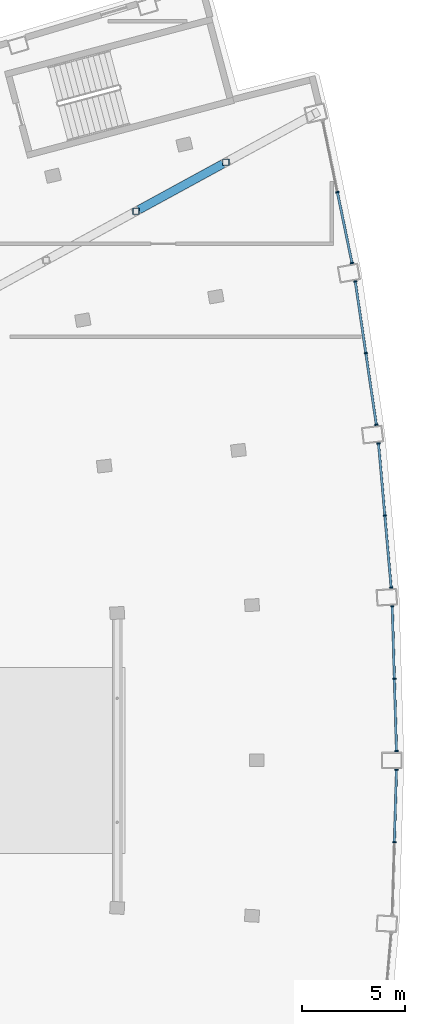
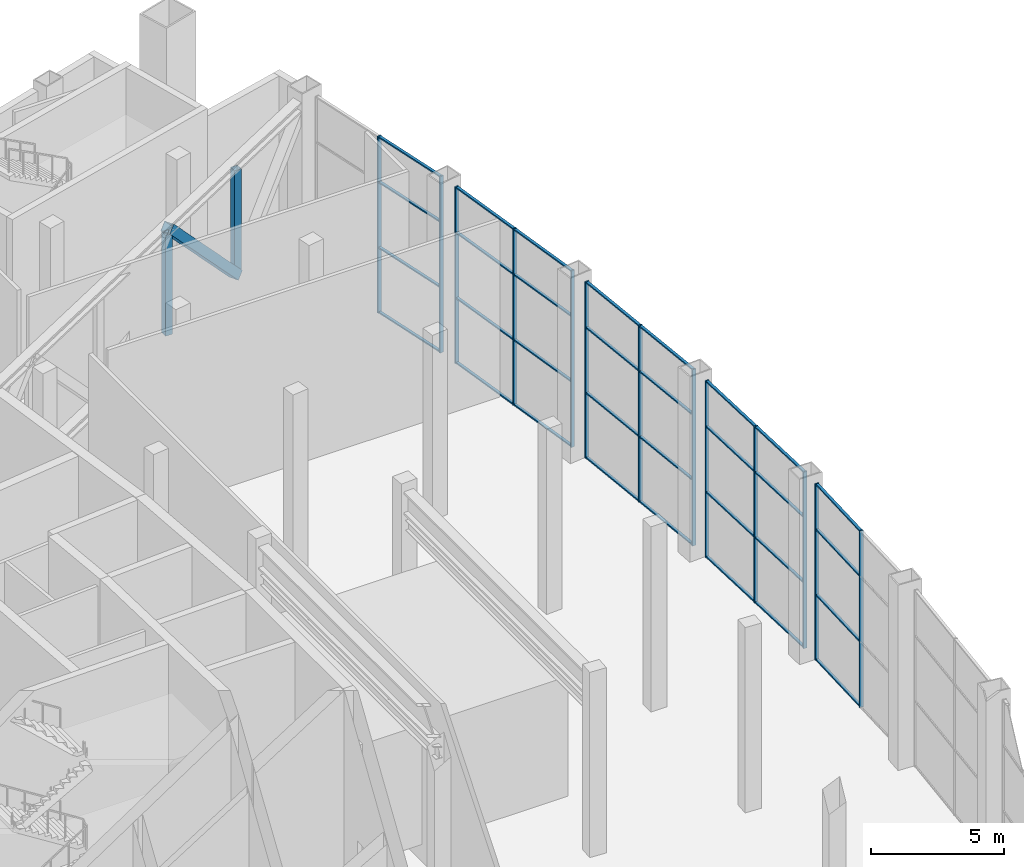
# One storey, part 13 of 25: 48 members, 5 elements without a shape of their own.
"""IFC4 building model written with IfcOpenShell, lengths in metres."""

from ifc_helpers import new_model, si_unit, direction, frame, origin, origin_2d, place, context, subcontext, project, spatial, rectangle, hollow_rectangle, extrude, material, layer, layer_set, material_profile, profile_set, type_object, element, aggregate, save


model = new_model("IFC4")

# Units and contexts
model_context = context("Model", 3, precision=1e-05, world=origin(), true_north=direction((0.0, 1.0)))
body_context = subcontext(model_context, "Body", "Model", "MODEL_VIEW")
ifc_project = project(units=[si_unit("LENGTHUNIT", "METRE"), si_unit("AREAUNIT", "SQUARE_METRE"), si_unit("VOLUMEUNIT", "CUBIC_METRE"), si_unit("PLANEANGLEUNIT", "RADIAN"), si_unit("MASSUNIT", "GRAM", prefix="KILO")], contexts=[model_context])

# Site, building, storey
site_placement = place(None, origin())
site = spatial("IfcSite", under=ifc_project, at=site_placement, CompositionType="ELEMENT")
building_placement = place(site_placement, origin())
building = spatial("IfcBuilding", under=site, at=building_placement, Name="Alderwake Tower", CompositionType="ELEMENT")
storey_placement = place(building_placement, frame((0.0, 0.0, 296.0)))
storey = spatial("IfcBuildingStorey", under=building, at=storey_placement, Name="L73", CompositionType="ELEMENT", Elevation=296.0)

# Curtain wall, members
ifc_material_1 = material(Name="Bronze tinted glass in aluminium frame", Category="aluminium")
ifc_layer = layer(ifc_material_1, 0.199951171875)
ifc_layer_set = layer_set([ifc_layer], Name="Curtain wall CW4 damper floor viewing glazing")
curtain_wall_type = type_object("IfcCurtainWallType", Name="Curtain wall CW4 damper floor viewing glazing", PredefinedType="NOTDEFINED", material=ifc_layer_set)
curtain_wall_1_placement = place(storey_placement, origin())
curtain_wall_1 = element("IfcCurtainWall", 1, at=curtain_wall_1_placement, inside=storey, type_object=curtain_wall_type, Name="Curtain wall 4", PredefinedType="NOTDEFINED")
ifc_material_2 = material(Name="Aluminium bronze anodised", Category="aluminium")
ifc_material_profile_1 = material_profile(ifc_material_2, rectangle(XDim=0.159912109375, YDim=0.06005859375, at=origin_2d()), Name="Mullion MUD 60x160")
ifc_profile_set_1 = profile_set([ifc_material_profile_1], Name="Aluminium bronze anodised")
member_type_1 = type_object("IfcMemberType", Name="Mullion MUD 60x160", PredefinedType="MULLION", material=ifc_profile_set_1)
member_1_placement = place(storey_placement, frame((55.53466796875, 57.045654296875, 0.0), z_axis=(0.0, 0.0, 1.0), x_axis=(-0.99957482948, 0.029157507941, 0.0)))
member_1 = element("IfcMember", 2, at=member_1_placement, type_object=member_type_1, Name="CW.04 mullion 2", PredefinedType="MULLION", context=body_context, shape_type="SweptSolid", body=[
    extrude(rectangle(XDim=0.159912109375, YDim=0.06005859375, at=origin_2d()), origin(), (0.0, 0.0, 1.0), 8.10009765625),
])
member_2_placement = place(storey_placement, frame((55.63671875, 60.548583984375, 0.0), z_axis=(0.0, 0.0, 1.0), x_axis=(-0.99957482948, 0.029157507941, 0.0)))
member_2 = element("IfcMember", 3, at=member_2_placement, type_object=member_type_1, Name="CW.04 mullion 3", PredefinedType="MULLION", context=body_context, shape_type="SweptSolid", body=[
    extrude(rectangle(XDim=0.159912109375, YDim=0.06005859375, at=origin_2d()), origin(), (0.0, 0.0, 1.0), 8.10009765625),
])

curtain_wall_2_placement = place(storey_placement, origin())
curtain_wall_2 = element("IfcCurtainWall", 4, at=curtain_wall_2_placement, inside=storey, type_object=curtain_wall_type, Name="Curtain wall 5", PredefinedType="NOTDEFINED")
member_3_placement = place(storey_placement, frame((55.63671875, 61.451416015625, 0.0), z_axis=(0.0, 0.0, 1.0), x_axis=(-0.99957482948, -0.029157507941, 0.0)))
member_3 = element("IfcMember", 5, at=member_3_placement, type_object=member_type_1, Name="CW.05 mullion 1", PredefinedType="MULLION", context=body_context, shape_type="SweptSolid", body=[
    extrude(rectangle(XDim=0.159912109375, YDim=0.06005859375, at=origin_2d()), origin(), (0.0, 0.0, 1.0), 8.10009765625),
])
member_4_placement = place(storey_placement, frame((55.53466796875, 64.954345703125, 0.0), z_axis=(0.0, 0.0, 1.0), x_axis=(-0.99957482948, -0.029157507941, 0.0)))
member_4 = element("IfcMember", 6, at=member_4_placement, type_object=member_type_1, Name="CW.05 mullion 2", PredefinedType="MULLION", context=body_context, shape_type="SweptSolid", body=[
    extrude(rectangle(XDim=0.159912109375, YDim=0.06005859375, at=origin_2d()), origin(), (0.0, 0.0, 1.0), 8.10009765625),
])
member_5_placement = place(storey_placement, frame((55.432373046875, 68.45703125, 0.0), z_axis=(0.0, 0.0, 1.0), x_axis=(-0.99957482948, -0.029157507941, 0.0)))
member_5 = element("IfcMember", 7, at=member_5_placement, type_object=member_type_1, Name="CW.05 mullion 3", PredefinedType="MULLION", context=body_context, shape_type="SweptSolid", body=[
    extrude(rectangle(XDim=0.159912109375, YDim=0.06005859375, at=origin_2d()), origin(), (0.0, 0.0, 1.0), 8.10009765625),
])

curtain_wall_3_placement = place(storey_placement, origin())
curtain_wall_3 = element("IfcCurtainWall", 8, at=curtain_wall_3_placement, inside=storey, type_object=curtain_wall_type, Name="Curtain wall 6", PredefinedType="NOTDEFINED")
member_6_placement = place(storey_placement, frame((55.3798828125, 69.3583984375, 0.0), z_axis=(0.0, 0.0, 1.0), x_axis=(-0.996174205388, -0.087389659115, 0.0)))
member_6 = element("IfcMember", 9, at=member_6_placement, type_object=member_type_1, Name="CW.06 mullion 1", PredefinedType="MULLION", context=body_context, shape_type="SweptSolid", body=[
    extrude(rectangle(XDim=0.159912109375, YDim=0.06005859375, at=origin_2d()), origin(), (0.0, 0.0, 1.0), 8.10009765625),
])
member_7_placement = place(storey_placement, frame((55.073486328125, 72.849365234375, 0.0), z_axis=(0.0, 0.0, 1.0), x_axis=(-0.996174205388, -0.087389659115, 0.0)))
member_7 = element("IfcMember", 10, at=member_7_placement, type_object=member_type_1, Name="CW.06 mullion 2", PredefinedType="MULLION", context=body_context, shape_type="SweptSolid", body=[
    extrude(rectangle(XDim=0.159912109375, YDim=0.06005859375, at=origin_2d()), origin(), (0.0, 0.0, 1.0), 8.10009765625),
])
member_8_placement = place(storey_placement, frame((54.767333984375, 76.340087890625, 0.0), z_axis=(0.0, 0.0, 1.0), x_axis=(-0.996174205388, -0.087389659115, 0.0)))
member_8 = element("IfcMember", 11, at=member_8_placement, type_object=member_type_1, Name="CW.06 mullion 3", PredefinedType="MULLION", context=body_context, shape_type="SweptSolid", body=[
    extrude(rectangle(XDim=0.159912109375, YDim=0.06005859375, at=origin_2d()), origin(), (0.0, 0.0, 1.0), 8.10009765625),
])

curtain_wall_4_placement = place(storey_placement, origin())
curtain_wall_4 = element("IfcCurtainWall", 12, at=curtain_wall_4_placement, inside=storey, type_object=curtain_wall_type, Name="Curtain wall 7", PredefinedType="NOTDEFINED")
member_9_placement = place(storey_placement, frame((54.662109375, 77.23681640625, 0.0), z_axis=(0.0, 0.0, 1.0), x_axis=(-0.989386131779, -0.145310296412, 0.0)))
member_9 = element("IfcMember", 13, at=member_9_placement, type_object=member_type_1, Name="CW.07 mullion 1", PredefinedType="MULLION", context=body_context, shape_type="SweptSolid", body=[
    extrude(rectangle(XDim=0.159912109375, YDim=0.06005859375, at=origin_2d()), origin(), (0.0, 0.0, 1.0), 8.10009765625),
])
member_10_placement = place(storey_placement, frame((54.15283203125, 80.703857421875, 0.0), z_axis=(0.0, 0.0, 1.0), x_axis=(-0.989386131779, -0.145310296412, 0.0)))
member_10 = element("IfcMember", 14, at=member_10_placement, type_object=member_type_1, Name="CW.07 mullion 2", PredefinedType="MULLION", context=body_context, shape_type="SweptSolid", body=[
    extrude(rectangle(XDim=0.159912109375, YDim=0.06005859375, at=origin_2d()), origin(), (0.0, 0.0, 1.0), 8.10009765625),
])
member_11_placement = place(storey_placement, frame((53.643798828125, 84.1708984375, 0.0), z_axis=(0.0, 0.0, 1.0), x_axis=(-0.989386131779, -0.145310296412, 0.0)))
member_11 = element("IfcMember", 15, at=member_11_placement, type_object=member_type_1, Name="CW.07 mullion 3", PredefinedType="MULLION", context=body_context, shape_type="SweptSolid", body=[
    extrude(rectangle(XDim=0.159912109375, YDim=0.06005859375, at=origin_2d()), origin(), (0.0, 0.0, 1.0), 8.10009765625),
])

curtain_wall_5_placement = place(storey_placement, origin())
curtain_wall_5 = element("IfcCurtainWall", 16, at=curtain_wall_5_placement, inside=storey, type_object=curtain_wall_type, Name="Curtain wall 8", PredefinedType="NOTDEFINED")
member_12_placement = place(storey_placement, frame((53.486572265625, 85.06005859375, 0.0), z_axis=(0.0, 0.0, 1.0), x_axis=(-0.979228273012, -0.202760916683, 0.0)))
member_12 = element("IfcMember", 17, at=member_12_placement, type_object=member_type_1, Name="CW.08 mullion 1", PredefinedType="MULLION", context=body_context, shape_type="SweptSolid", body=[
    extrude(rectangle(XDim=0.159912109375, YDim=0.06005859375, at=origin_2d()), origin(), (0.0, 0.0, 1.0), 8.10009765625),
])
member_13_placement = place(storey_placement, frame((52.776123046875, 88.491455078125, 0.0), z_axis=(0.0, 0.0, 1.0), x_axis=(-0.979228273012, -0.202760916683, 0.0)))
member_13 = element("IfcMember", 18, at=member_13_placement, type_object=member_type_1, Name="CW.08 mullion 2", PredefinedType="MULLION", context=body_context, shape_type="SweptSolid", body=[
    extrude(rectangle(XDim=0.159912109375, YDim=0.06005859375, at=origin_2d()), origin(), (0.0, 0.0, 1.0), 8.10009765625),
])

# Members
ifc_material_3 = material(Name="Steel ASTM A500 Grade C", Category="steel")
ifc_material_profile_2 = material_profile(ifc_material_3, hollow_rectangle(XDim=0.406494140625, YDim=0.406494140625, WallThickness=0.014892578125, at=origin_2d()), Name="HSS16X16X5/8")
ifc_profile_set_2 = profile_set([ifc_material_profile_2], Name="Steel ASTM A500 Grade C")
member_type_2 = type_object("IfcMemberType", Name="Outrigger truss diagonal HSS16X16X5/8", PredefinedType="BRACE", material=ifc_profile_set_2)
member_14_placement = place(storey_placement, frame((47.38330078125, 89.935546875, 2.7822265625), z_axis=(-0.612427707322, -0.334142153017, 0.716436546305), x_axis=(0.478952298212, -0.877840928664, 0.0)))
element("IfcMember", 19, at=member_14_placement, inside=storey, type_object=member_type_2, Name="Outrigger truss diagonal DT73NF.D4", PredefinedType="BRACE", context=body_context, shape_type="SweptSolid", body=[
    extrude(hollow_rectangle(XDim=0.406494140625, YDim=0.406494140625, WallThickness=0.014892578125, at=origin_2d()), origin(), (0.0, 0.0, 1.0), 7.09814453125),
])
ifc_material_4 = material(Name="Steel ASTM A500 Grade C", Category="steel")
ifc_material_profile_3 = material_profile(ifc_material_4, hollow_rectangle(XDim=0.3046875, YDim=0.3046875, WallThickness=0.01171875, at=origin_2d()), Name="HSS12X12X1/2")
ifc_profile_set_3 = profile_set([ifc_material_profile_3], Name="Steel ASTM A500 Grade C")
member_type_3 = type_object("IfcMemberType", Name="Outrigger truss post HSS12X12X1/2", PredefinedType="POST", material=ifc_profile_set_3)
for number, where, z_axis, x_axis, name in (
    (20, (43.0361328125, 87.563720703125, 3.0146484375), (0.0, 0.0, 1.0), (1.0, 0.0, 0.0), "Outrigger truss post DT73NF.P3"),
    (21, (47.38330078125, 89.935546875, 3.0146484375), (0.0, 0.0, 1.0), (1.0, 0.0, 0.0), "Outrigger truss post DT73NF.P4"),
):
    element("IfcMember", number, at=place(storey_placement, frame(where, z_axis=z_axis, x_axis=x_axis)), inside=storey, type_object=member_type_3, Name=name, PredefinedType="POST", context=body_context, shape_type="SweptSolid", body=[
        extrude(hollow_rectangle(XDim=0.3046875, YDim=0.3046875, WallThickness=0.01171875, at=origin_2d()), origin(), (0.0, 0.0, 1.0), 4.620849609375),
    ])

# Member
ifc_material_5 = material(Name="Aluminium bronze anodised", Category="aluminium")
ifc_material_profile_4 = material_profile(ifc_material_5, rectangle(XDim=0.1201171875, YDim=0.06005859375, at=origin_2d()), Name="Transom TRD 60x120")
ifc_profile_set_4 = profile_set([ifc_material_profile_4], Name="Aluminium bronze anodised")
member_type_4 = type_object("IfcMemberType", Name="Transom TRD 60x120", PredefinedType="USERDEFINED", material=ifc_profile_set_4)
member_15_placement = place(storey_placement, frame((55.53564453125, 57.07568359375, 0.030029296875), z_axis=(0.029132431954, 0.99957556063, 0.0), x_axis=(-0.99957556063, 0.029132431954, 0.0)))
member_15 = element("IfcMember", 22, at=member_15_placement, type_object=member_type_4, Name="CW.04 transom 2.1", ObjectType="TRANSOM", PredefinedType="USERDEFINED", context=body_context, shape_type="SweptSolid", body=[
    extrude(rectangle(XDim=0.1201171875, YDim=0.06005859375, at=origin_2d()), origin(), (0.0, 0.0, 1.0), 3.4443359375),
])

member_16_placement = place(storey_placement, frame((55.53564453125, 57.07568359375, 3.0), z_axis=(0.029132431954, 0.99957556063, 0.0), x_axis=(-0.99957556063, 0.029132431954, 0.0)))
member_16 = element("IfcMember", 23, at=member_16_placement, type_object=member_type_4, Name="CW.04 transom 2.2", ObjectType="TRANSOM", PredefinedType="USERDEFINED", context=body_context, shape_type="SweptSolid", body=[
    extrude(rectangle(XDim=0.1201171875, YDim=0.06005859375, at=origin_2d()), origin(), (0.0, 0.0, 1.0), 3.4443359375),
])

member_17_placement = place(storey_placement, frame((55.53564453125, 57.07568359375, 6.0), z_axis=(0.029132431954, 0.99957556063, 0.0), x_axis=(-0.99957556063, 0.029132431954, 0.0)))
member_17 = element("IfcMember", 24, at=member_17_placement, type_object=member_type_4, Name="CW.04 transom 2.3", ObjectType="TRANSOM", PredefinedType="USERDEFINED", context=body_context, shape_type="SweptSolid", body=[
    extrude(rectangle(XDim=0.1201171875, YDim=0.06005859375, at=origin_2d()), origin(), (0.0, 0.0, 1.0), 3.4443359375),
])

member_18_placement = place(storey_placement, frame((55.53564453125, 57.07568359375, 8.070068359375), z_axis=(0.029132431954, 0.99957556063, 0.0), x_axis=(-0.99957556063, 0.029132431954, 0.0)))
member_18 = element("IfcMember", 25, at=member_18_placement, type_object=member_type_4, Name="CW.04 transom 2.4", ObjectType="TRANSOM", PredefinedType="USERDEFINED", context=body_context, shape_type="SweptSolid", body=[
    extrude(rectangle(XDim=0.1201171875, YDim=0.06005859375, at=origin_2d()), origin(), (0.0, 0.0, 1.0), 3.4443359375),
])

aggregate(curtain_wall_1, [member_1, member_2, member_15, member_16, member_17, member_18])

member_19_placement = place(storey_placement, frame((55.635986328125, 61.4814453125, 0.030029296875), z_axis=(-0.029132431954, 0.99957556063, 0.0), x_axis=(-0.99957556063, -0.029132431954, 0.0)))
member_19 = element("IfcMember", 26, at=member_19_placement, type_object=member_type_4, Name="CW.05 transom 1.1", ObjectType="TRANSOM", PredefinedType="USERDEFINED", context=body_context, shape_type="SweptSolid", body=[
    extrude(rectangle(XDim=0.1201171875, YDim=0.06005859375, at=origin_2d()), origin(), (0.0, 0.0, 1.0), 3.4443359375),
])

member_20_placement = place(storey_placement, frame((55.635986328125, 61.4814453125, 3.0), z_axis=(-0.029132431954, 0.99957556063, 0.0), x_axis=(-0.99957556063, -0.029132431954, 0.0)))
member_20 = element("IfcMember", 27, at=member_20_placement, type_object=member_type_4, Name="CW.05 transom 1.2", ObjectType="TRANSOM", PredefinedType="USERDEFINED", context=body_context, shape_type="SweptSolid", body=[
    extrude(rectangle(XDim=0.1201171875, YDim=0.06005859375, at=origin_2d()), origin(), (0.0, 0.0, 1.0), 3.4443359375),
])

member_21_placement = place(storey_placement, frame((55.635986328125, 61.4814453125, 6.0), z_axis=(-0.029132431954, 0.99957556063, 0.0), x_axis=(-0.99957556063, -0.029132431954, 0.0)))
member_21 = element("IfcMember", 28, at=member_21_placement, type_object=member_type_4, Name="CW.05 transom 1.3", ObjectType="TRANSOM", PredefinedType="USERDEFINED", context=body_context, shape_type="SweptSolid", body=[
    extrude(rectangle(XDim=0.1201171875, YDim=0.06005859375, at=origin_2d()), origin(), (0.0, 0.0, 1.0), 3.4443359375),
])

member_22_placement = place(storey_placement, frame((55.635986328125, 61.4814453125, 8.070068359375), z_axis=(-0.029132431954, 0.99957556063, 0.0), x_axis=(-0.99957556063, -0.029132431954, 0.0)))
member_22 = element("IfcMember", 29, at=member_22_placement, type_object=member_type_4, Name="CW.05 transom 1.4", ObjectType="TRANSOM", PredefinedType="USERDEFINED", context=body_context, shape_type="SweptSolid", body=[
    extrude(rectangle(XDim=0.1201171875, YDim=0.06005859375, at=origin_2d()), origin(), (0.0, 0.0, 1.0), 3.4443359375),
])

member_23_placement = place(storey_placement, frame((55.53369140625, 64.984130859375, 0.030029296875), z_axis=(-0.029132431954, 0.99957556063, 0.0), x_axis=(-0.99957556063, -0.029132431954, 0.0)))
member_23 = element("IfcMember", 30, at=member_23_placement, type_object=member_type_4, Name="CW.05 transom 2.1", ObjectType="TRANSOM", PredefinedType="USERDEFINED", context=body_context, shape_type="SweptSolid", body=[
    extrude(rectangle(XDim=0.1201171875, YDim=0.06005859375, at=origin_2d()), origin(), (0.0, 0.0, 1.0), 3.4443359375),
])

member_24_placement = place(storey_placement, frame((55.53369140625, 64.984130859375, 3.0), z_axis=(-0.029132431954, 0.99957556063, 0.0), x_axis=(-0.99957556063, -0.029132431954, 0.0)))
member_24 = element("IfcMember", 31, at=member_24_placement, type_object=member_type_4, Name="CW.05 transom 2.2", ObjectType="TRANSOM", PredefinedType="USERDEFINED", context=body_context, shape_type="SweptSolid", body=[
    extrude(rectangle(XDim=0.1201171875, YDim=0.06005859375, at=origin_2d()), origin(), (0.0, 0.0, 1.0), 3.4443359375),
])

member_25_placement = place(storey_placement, frame((55.53369140625, 64.984130859375, 6.0), z_axis=(-0.029132431954, 0.99957556063, 0.0), x_axis=(-0.99957556063, -0.029132431954, 0.0)))
member_25 = element("IfcMember", 32, at=member_25_placement, type_object=member_type_4, Name="CW.05 transom 2.3", ObjectType="TRANSOM", PredefinedType="USERDEFINED", context=body_context, shape_type="SweptSolid", body=[
    extrude(rectangle(XDim=0.1201171875, YDim=0.06005859375, at=origin_2d()), origin(), (0.0, 0.0, 1.0), 3.4443359375),
])

member_26_placement = place(storey_placement, frame((55.53369140625, 64.984130859375, 8.070068359375), z_axis=(-0.029132431954, 0.99957556063, 0.0), x_axis=(-0.99957556063, -0.029132431954, 0.0)))
member_26 = element("IfcMember", 33, at=member_26_placement, type_object=member_type_4, Name="CW.05 transom 2.4", ObjectType="TRANSOM", PredefinedType="USERDEFINED", context=body_context, shape_type="SweptSolid", body=[
    extrude(rectangle(XDim=0.1201171875, YDim=0.06005859375, at=origin_2d()), origin(), (0.0, 0.0, 1.0), 3.4443359375),
])

aggregate(curtain_wall_2, [member_3, member_4, member_5, member_19, member_20, member_21, member_22, member_23, member_24, member_25, member_26])

member_27_placement = place(storey_placement, frame((55.377197265625, 69.388427734375, 0.030029296875), z_axis=(-0.087403493823, 0.996172991637, 0.0), x_axis=(-0.996172991637, -0.087403493823, 0.0)))
member_27 = element("IfcMember", 34, at=member_27_placement, type_object=member_type_4, Name="CW.06 transom 1.1", ObjectType="TRANSOM", PredefinedType="USERDEFINED", context=body_context, shape_type="SweptSolid", body=[
    extrude(rectangle(XDim=0.1201171875, YDim=0.06005859375, at=origin_2d()), origin(), (0.0, 0.0, 1.0), 3.444091796875),
])

member_28_placement = place(storey_placement, frame((55.377197265625, 69.388427734375, 3.0), z_axis=(-0.087403493823, 0.996172991637, 0.0), x_axis=(-0.996172991637, -0.087403493823, 0.0)))
member_28 = element("IfcMember", 35, at=member_28_placement, type_object=member_type_4, Name="CW.06 transom 1.2", ObjectType="TRANSOM", PredefinedType="USERDEFINED", context=body_context, shape_type="SweptSolid", body=[
    extrude(rectangle(XDim=0.1201171875, YDim=0.06005859375, at=origin_2d()), origin(), (0.0, 0.0, 1.0), 3.444091796875),
])

member_29_placement = place(storey_placement, frame((55.377197265625, 69.388427734375, 6.0), z_axis=(-0.087403493823, 0.996172991637, 0.0), x_axis=(-0.996172991637, -0.087403493823, 0.0)))
member_29 = element("IfcMember", 36, at=member_29_placement, type_object=member_type_4, Name="CW.06 transom 1.3", ObjectType="TRANSOM", PredefinedType="USERDEFINED", context=body_context, shape_type="SweptSolid", body=[
    extrude(rectangle(XDim=0.1201171875, YDim=0.06005859375, at=origin_2d()), origin(), (0.0, 0.0, 1.0), 3.444091796875),
])

member_30_placement = place(storey_placement, frame((55.377197265625, 69.388427734375, 8.070068359375), z_axis=(-0.087403493823, 0.996172991637, 0.0), x_axis=(-0.996172991637, -0.087403493823, 0.0)))
member_30 = element("IfcMember", 37, at=member_30_placement, type_object=member_type_4, Name="CW.06 transom 1.4", ObjectType="TRANSOM", PredefinedType="USERDEFINED", context=body_context, shape_type="SweptSolid", body=[
    extrude(rectangle(XDim=0.1201171875, YDim=0.06005859375, at=origin_2d()), origin(), (0.0, 0.0, 1.0), 3.444091796875),
])

member_31_placement = place(storey_placement, frame((55.071044921875, 72.879150390625, 0.030029296875), z_axis=(-0.087403493823, 0.996172991637, 0.0), x_axis=(-0.996172991637, -0.087403493823, 0.0)))
member_31 = element("IfcMember", 38, at=member_31_placement, type_object=member_type_4, Name="CW.06 transom 2.1", ObjectType="TRANSOM", PredefinedType="USERDEFINED", context=body_context, shape_type="SweptSolid", body=[
    extrude(rectangle(XDim=0.1201171875, YDim=0.06005859375, at=origin_2d()), origin(), (0.0, 0.0, 1.0), 3.444091796875),
])

member_32_placement = place(storey_placement, frame((55.071044921875, 72.879150390625, 3.0), z_axis=(-0.087403493823, 0.996172991637, 0.0), x_axis=(-0.996172991637, -0.087403493823, 0.0)))
member_32 = element("IfcMember", 39, at=member_32_placement, type_object=member_type_4, Name="CW.06 transom 2.2", ObjectType="TRANSOM", PredefinedType="USERDEFINED", context=body_context, shape_type="SweptSolid", body=[
    extrude(rectangle(XDim=0.1201171875, YDim=0.06005859375, at=origin_2d()), origin(), (0.0, 0.0, 1.0), 3.444091796875),
])

member_33_placement = place(storey_placement, frame((55.071044921875, 72.879150390625, 6.0), z_axis=(-0.087403493823, 0.996172991637, 0.0), x_axis=(-0.996172991637, -0.087403493823, 0.0)))
member_33 = element("IfcMember", 40, at=member_33_placement, type_object=member_type_4, Name="CW.06 transom 2.3", ObjectType="TRANSOM", PredefinedType="USERDEFINED", context=body_context, shape_type="SweptSolid", body=[
    extrude(rectangle(XDim=0.1201171875, YDim=0.06005859375, at=origin_2d()), origin(), (0.0, 0.0, 1.0), 3.444091796875),
])

member_34_placement = place(storey_placement, frame((55.071044921875, 72.879150390625, 8.070068359375), z_axis=(-0.087403493823, 0.996172991637, 0.0), x_axis=(-0.996172991637, -0.087403493823, 0.0)))
member_34 = element("IfcMember", 41, at=member_34_placement, type_object=member_type_4, Name="CW.06 transom 2.4", ObjectType="TRANSOM", PredefinedType="USERDEFINED", context=body_context, shape_type="SweptSolid", body=[
    extrude(rectangle(XDim=0.1201171875, YDim=0.06005859375, at=origin_2d()), origin(), (0.0, 0.0, 1.0), 3.444091796875),
])

aggregate(curtain_wall_3, [member_6, member_7, member_8, member_27, member_28, member_29, member_30, member_31, member_32, member_33, member_34])

member_35_placement = place(storey_placement, frame((54.65771484375, 77.2666015625, 0.030029296875), z_axis=(-0.145320519597, 0.989384630255, 0.0), x_axis=(-0.989384630255, -0.145320519597, 0.0)))
member_35 = element("IfcMember", 42, at=member_35_placement, type_object=member_type_4, Name="CW.07 transom 1.1", ObjectType="TRANSOM", PredefinedType="USERDEFINED", context=body_context, shape_type="SweptSolid", body=[
    extrude(rectangle(XDim=0.1201171875, YDim=0.06005859375, at=origin_2d()), origin(), (0.0, 0.0, 1.0), 3.444091796875),
])

member_36_placement = place(storey_placement, frame((54.65771484375, 77.2666015625, 3.0), z_axis=(-0.145320519597, 0.989384630255, 0.0), x_axis=(-0.989384630255, -0.145320519597, 0.0)))
member_36 = element("IfcMember", 43, at=member_36_placement, type_object=member_type_4, Name="CW.07 transom 1.2", ObjectType="TRANSOM", PredefinedType="USERDEFINED", context=body_context, shape_type="SweptSolid", body=[
    extrude(rectangle(XDim=0.1201171875, YDim=0.06005859375, at=origin_2d()), origin(), (0.0, 0.0, 1.0), 3.444091796875),
])

member_37_placement = place(storey_placement, frame((54.65771484375, 77.2666015625, 6.0), z_axis=(-0.145320519597, 0.989384630255, 0.0), x_axis=(-0.989384630255, -0.145320519597, 0.0)))
member_37 = element("IfcMember", 44, at=member_37_placement, type_object=member_type_4, Name="CW.07 transom 1.3", ObjectType="TRANSOM", PredefinedType="USERDEFINED", context=body_context, shape_type="SweptSolid", body=[
    extrude(rectangle(XDim=0.1201171875, YDim=0.06005859375, at=origin_2d()), origin(), (0.0, 0.0, 1.0), 3.444091796875),
])

member_38_placement = place(storey_placement, frame((54.65771484375, 77.2666015625, 8.070068359375), z_axis=(-0.145320519597, 0.989384630255, 0.0), x_axis=(-0.989384630255, -0.145320519597, 0.0)))
member_38 = element("IfcMember", 45, at=member_38_placement, type_object=member_type_4, Name="CW.07 transom 1.4", ObjectType="TRANSOM", PredefinedType="USERDEFINED", context=body_context, shape_type="SweptSolid", body=[
    extrude(rectangle(XDim=0.1201171875, YDim=0.06005859375, at=origin_2d()), origin(), (0.0, 0.0, 1.0), 3.444091796875),
])

member_39_placement = place(storey_placement, frame((54.148681640625, 80.733642578125, 0.030029296875), z_axis=(-0.145320519597, 0.989384630255, 0.0), x_axis=(-0.989384630255, -0.145320519597, 0.0)))
member_39 = element("IfcMember", 46, at=member_39_placement, type_object=member_type_4, Name="CW.07 transom 2.1", ObjectType="TRANSOM", PredefinedType="USERDEFINED", context=body_context, shape_type="SweptSolid", body=[
    extrude(rectangle(XDim=0.1201171875, YDim=0.06005859375, at=origin_2d()), origin(), (0.0, 0.0, 1.0), 3.444091796875),
])

member_40_placement = place(storey_placement, frame((54.148681640625, 80.733642578125, 3.0), z_axis=(-0.145320519597, 0.989384630255, 0.0), x_axis=(-0.989384630255, -0.145320519597, 0.0)))
member_40 = element("IfcMember", 47, at=member_40_placement, type_object=member_type_4, Name="CW.07 transom 2.2", ObjectType="TRANSOM", PredefinedType="USERDEFINED", context=body_context, shape_type="SweptSolid", body=[
    extrude(rectangle(XDim=0.1201171875, YDim=0.06005859375, at=origin_2d()), origin(), (0.0, 0.0, 1.0), 3.444091796875),
])

member_41_placement = place(storey_placement, frame((54.148681640625, 80.733642578125, 6.0), z_axis=(-0.145320519597, 0.989384630255, 0.0), x_axis=(-0.989384630255, -0.145320519597, 0.0)))
member_41 = element("IfcMember", 48, at=member_41_placement, type_object=member_type_4, Name="CW.07 transom 2.3", ObjectType="TRANSOM", PredefinedType="USERDEFINED", context=body_context, shape_type="SweptSolid", body=[
    extrude(rectangle(XDim=0.1201171875, YDim=0.06005859375, at=origin_2d()), origin(), (0.0, 0.0, 1.0), 3.444091796875),
])

member_42_placement = place(storey_placement, frame((54.148681640625, 80.733642578125, 8.070068359375), z_axis=(-0.145320519597, 0.989384630255, 0.0), x_axis=(-0.989384630255, -0.145320519597, 0.0)))
member_42 = element("IfcMember", 49, at=member_42_placement, type_object=member_type_4, Name="CW.07 transom 2.4", ObjectType="TRANSOM", PredefinedType="USERDEFINED", context=body_context, shape_type="SweptSolid", body=[
    extrude(rectangle(XDim=0.1201171875, YDim=0.06005859375, at=origin_2d()), origin(), (0.0, 0.0, 1.0), 3.444091796875),
])

aggregate(curtain_wall_4, [member_9, member_10, member_11, member_35, member_36, member_37, member_38, member_39, member_40, member_41, member_42])

member_43_placement = place(storey_placement, frame((53.48046875, 85.08935546875, 0.030029296875), z_axis=(-0.202722796474, 0.979236165483, 0.0), x_axis=(-0.979236165483, -0.202722796474, 0.0)))
member_43 = element("IfcMember", 50, at=member_43_placement, type_object=member_type_4, Name="CW.08 transom 1.1", ObjectType="TRANSOM", PredefinedType="USERDEFINED", context=body_context, shape_type="SweptSolid", body=[
    extrude(rectangle(XDim=0.1201171875, YDim=0.06005859375, at=origin_2d()), origin(), (0.0, 0.0, 1.0), 3.4443359375),
])

member_44_placement = place(storey_placement, frame((53.48046875, 85.08935546875, 3.0), z_axis=(-0.202722796474, 0.979236165483, 0.0), x_axis=(-0.979236165483, -0.202722796474, 0.0)))
member_44 = element("IfcMember", 51, at=member_44_placement, type_object=member_type_4, Name="CW.08 transom 1.2", ObjectType="TRANSOM", PredefinedType="USERDEFINED", context=body_context, shape_type="SweptSolid", body=[
    extrude(rectangle(XDim=0.1201171875, YDim=0.06005859375, at=origin_2d()), origin(), (0.0, 0.0, 1.0), 3.4443359375),
])

member_45_placement = place(storey_placement, frame((53.48046875, 85.08935546875, 6.0), z_axis=(-0.202722796474, 0.979236165483, 0.0), x_axis=(-0.979236165483, -0.202722796474, 0.0)))
member_45 = element("IfcMember", 52, at=member_45_placement, type_object=member_type_4, Name="CW.08 transom 1.3", ObjectType="TRANSOM", PredefinedType="USERDEFINED", context=body_context, shape_type="SweptSolid", body=[
    extrude(rectangle(XDim=0.1201171875, YDim=0.06005859375, at=origin_2d()), origin(), (0.0, 0.0, 1.0), 3.4443359375),
])

member_46_placement = place(storey_placement, frame((53.48046875, 85.08935546875, 8.070068359375), z_axis=(-0.202722796474, 0.979236165483, 0.0), x_axis=(-0.979236165483, -0.202722796474, 0.0)))
member_46 = element("IfcMember", 53, at=member_46_placement, type_object=member_type_4, Name="CW.08 transom 1.4", ObjectType="TRANSOM", PredefinedType="USERDEFINED", context=body_context, shape_type="SweptSolid", body=[
    extrude(rectangle(XDim=0.1201171875, YDim=0.06005859375, at=origin_2d()), origin(), (0.0, 0.0, 1.0), 3.4443359375),
])

aggregate(curtain_wall_5, [member_12, member_13, member_43, member_44, member_45, member_46])

save(model, "model.ifc")
